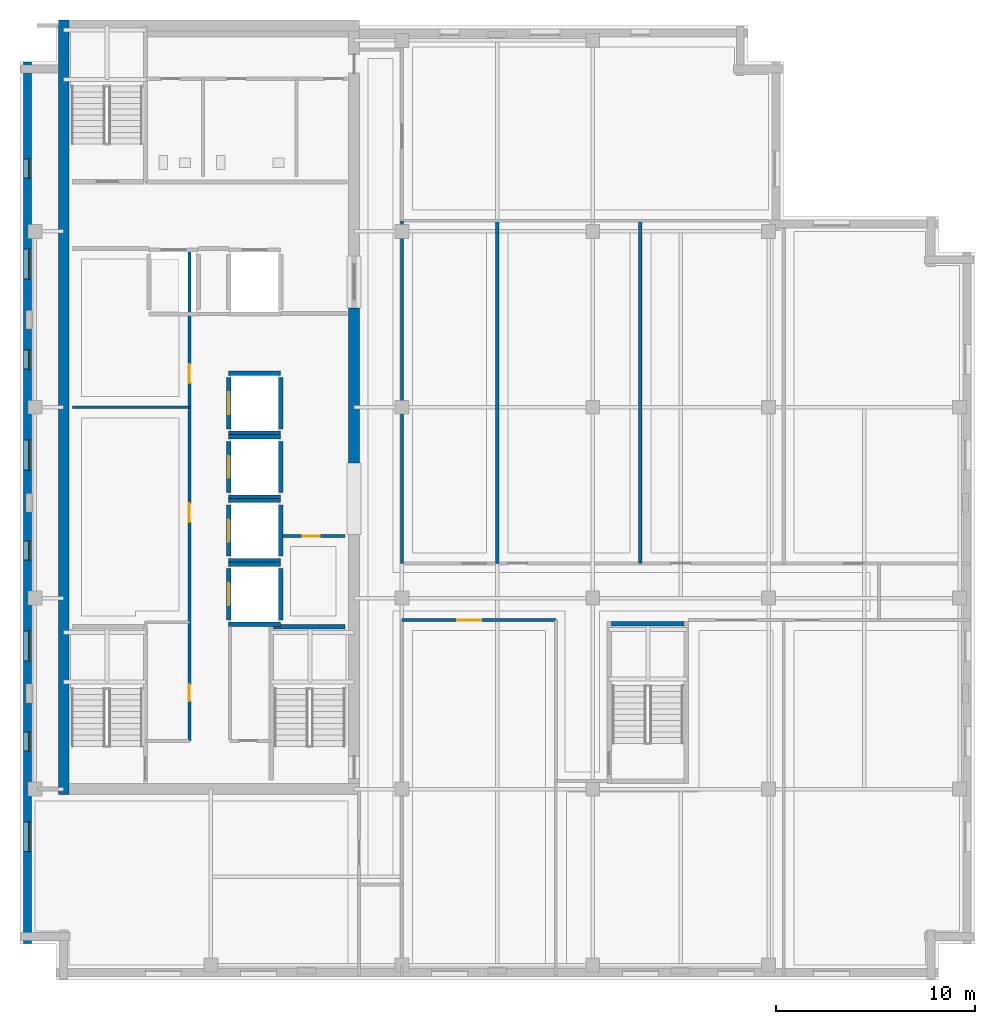
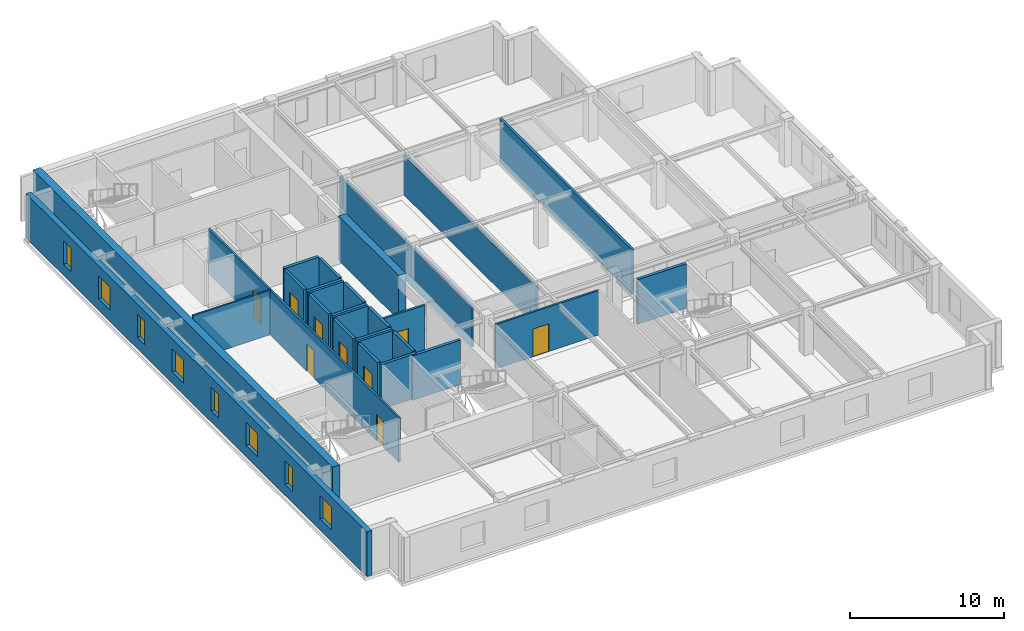
# One storey, part 4 of 11: 28 walls, 9 doors, 8 windows, 17 openings.
"""IFC4 building model written with IfcOpenShell, lengths in metres."""

from ifc_helpers import new_model, si_unit, direction, frame, frame_2d, origin, place, context, subcontext, project, spatial, rectangle, extrude, material, layer, layer_set, type_object, element, fill, save


model = new_model("IFC4")

# Units and contexts
model_context = context("Model", 3, precision=1e-05, world=origin(), true_north=direction((0.0, 1.0)))
body_context = subcontext(model_context, "Body", "Model", "MODEL_VIEW")
ifc_project = project(units=[si_unit("LENGTHUNIT", "METRE"), si_unit("AREAUNIT", "SQUARE_METRE"), si_unit("VOLUMEUNIT", "CUBIC_METRE"), si_unit("PLANEANGLEUNIT", "RADIAN"), si_unit("MASSUNIT", "GRAM", prefix="KILO")], contexts=[model_context])

# Site, building, storey
site_placement = place(None, origin())
site = spatial("IfcSite", under=ifc_project, at=site_placement, CompositionType="ELEMENT")
building_placement = place(site_placement, origin())
building = spatial("IfcBuilding", under=site, at=building_placement, Name="Norrvale University Quadrangle", CompositionType="ELEMENT")
storey_placement = place(building_placement, frame((0.0, 0.0, 284.800048828125)))
storey = spatial("IfcBuildingStorey", under=building, at=storey_placement, Name="L72", CompositionType="ELEMENT", Elevation=284.800048828125)

# Walls
ifc_material_1 = material(Name="Concrete C60/75", Category="concrete")
ifc_layer_1 = layer(ifc_material_1, 0.550048828125, Name="Concrete C60/75")
ifc_layer_set_1 = layer_set([ifc_layer_1], Name="Concrete C60/75")
wall_type_1 = type_object("IfcWallType", Name="Wall Core 550", PredefinedType="SHEAR", material=ifc_layer_set_1)
wall_1_placement = place(storey_placement, frame((2.199951171875, 9.324951171875, 0.0), z_axis=(0.0, 0.0, 1.0), x_axis=(0.0, 1.0, 0.0)))
element("IfcWall", 1, at=wall_1_placement, inside=storey, type_object=wall_type_1, Name="Tower Core Shear Wall L72-W", PredefinedType="SHEAR", context=body_context, shape_type="SweptSolid", body=[
    extrude(rectangle(XDim=38.949951171875, YDim=0.550048828125, at=frame_2d((19.47509765625, 0.0))), origin(), (0.0, 0.0, 1.0), 3.5400390625),
])
wall_2_placement = place(storey_placement, frame((16.800048828125, 26.0, 0.0), z_axis=(0.0, 0.0, 1.0), x_axis=(0.0, 1.0, 0.0)))
element("IfcWall", 2, at=wall_2_placement, inside=storey, type_object=wall_type_1, Name="Tower Core Shear Wall L72-E2", PredefinedType="SHEAR", context=body_context, shape_type="SweptSolid", body=[
    extrude(rectangle(XDim=7.800048828125, YDim=0.550048828125, at=frame_2d((3.89990234375, 0.0))), origin(), (0.0, 0.0, 1.0), 3.5400390625),
])
ifc_material_2 = material(Name="Standard Academic Gypsum Partition")
ifc_layer_2 = layer(ifc_material_2, 0.125, Name="Standard Academic Gypsum Partition")
ifc_layer_set_2 = layer_set([ifc_layer_2], Name="Standard Academic Gypsum Partition")
wall_type_2 = type_object("IfcWallType", Name="Wall Gypsum Academic 125", PredefinedType="PARTITIONING", material=ifc_layer_set_2)
wall_3_placement = place(storey_placement, frame((2.64990234375, 28.800048828125, 0.0), z_axis=(0.0, 0.0, 1.0), x_axis=(1.0, 0.0, 0.0)))
element("IfcWall", 3, at=wall_3_placement, inside=storey, type_object=wall_type_2, Name="Interior Partition WL-L72-REC-M2", PredefinedType="PARTITIONING", context=body_context, shape_type="SweptSolid", body=[
    extrude(rectangle(XDim=5.8701171875, YDim=0.125, at=frame_2d((2.93505859375, 0.0))), origin(), (0.0, 0.0, 1.0), 3.5400390625),
])

# Wall, opening, door
ifc_material_3 = material(Name="Fire-Rated Gypsum Stud Partition")
ifc_layer_3 = layer(ifc_material_3, 0.14990234375, Name="Fire-Rated Gypsum Stud Partition")
ifc_layer_set_3 = layer_set([ifc_layer_3], Name="Fire-Rated Gypsum Stud Partition")
wall_type_3 = type_object("IfcWallType", Name="Wall Gypsum Corridor 150", PredefinedType="PARTITIONING", material=ifc_layer_set_3)
wall_4_placement = place(storey_placement, frame((13.22509765625, 22.320068359375, 0.0), z_axis=(0.0, 0.0, 1.0), x_axis=(1.0, 0.0, 0.0)))
wall_4 = element("IfcWall", 4, at=wall_4_placement, inside=storey, type_object=wall_type_3, Name="Interior Partition WL-L72-JAN-N", PredefinedType="PARTITIONING", context=body_context, shape_type="SweptSolid", body=[
    extrude(rectangle(XDim=3.119873046875, YDim=0.14990234375, at=frame_2d((1.56005859375, 0.0))), origin(), (0.0, 0.0, 1.0), 3.5400390625),
])
opening_1_placement = place(wall_4_placement, frame((1.0, 0.0, 0.0)))
opening_1 = element("IfcOpeningElement", 5, at=opening_1_placement, cuts=wall_4, Name="Opening D10", PredefinedType="OPENING", context=body_context, shape_type="SweptSolid", body=[
    extrude(rectangle(XDim=0.85009765625, YDim=2.10009765625, at=frame_2d((0.425048828125, 1.050048828125))), frame((0.0, 0.0869140625, 0.0), z_axis=(0.0, -1.0, 0.0), x_axis=(1.0, 0.0, 0.0)), (0.0, 0.0, 1.0), 0.173828125),
])
ifc_material_4 = material(Name="Hollow Steel 350W Riser Fire Door", Category="steel")
door_type_1 = type_object("IfcDoorType", Name="Door Riser 850x2100", OperationType="NOTDEFINED", PredefinedType="DOOR", material=ifc_material_4)
door_1_placement = place(opening_1_placement, origin())
door_1 = element("IfcDoor", 6, at=door_1_placement, inside=storey, type_object=door_type_1, Name="Door Riser 850x2100 DR-L72-JAN", OperationType="SINGLE_SWING_LEFT", OverallHeight=2.10009765625, OverallWidth=0.85009765625, PredefinedType="DOOR", context=body_context, shape_type="SweptSolid", body=[
    extrude(rectangle(XDim=0.85009765625, YDim=2.10009765625, at=frame_2d((0.425048828125, 1.050048828125))), frame((0.0, 0.02490234375, 0.0), z_axis=(0.0, -1.0, 0.0), x_axis=(1.0, 0.0, 0.0)), (0.0, 0.0, 1.0), 0.050048828125),
])
fill(opening_1, door_1)

# Wall, openings, doors
wall_5_placement = place(storey_placement, frame((8.52001953125, 12.02001953125, 0.0), z_axis=(0.0, 0.0, 1.0), x_axis=(0.0, 1.0, 0.0)))
wall_5 = element("IfcWall", 7, at=wall_5_placement, inside=storey, type_object=wall_type_3, Name="Interior Partition WL-L72-REC-E", PredefinedType="PARTITIONING", context=body_context, shape_type="SweptSolid", body=[
    extrude(rectangle(XDim=24.760009765625, YDim=0.14990234375, at=frame_2d((12.3798828125, 0.0))), origin(), (0.0, 0.0, 1.0), 3.5400390625),
])
opening_2_placement = place(wall_5_placement, frame((2.0, 0.0, 0.0)))
opening_2 = element("IfcOpeningElement", 8, at=opening_2_placement, cuts=wall_5, Name="Opening D10", PredefinedType="OPENING", context=body_context, shape_type="SweptSolid", body=[
    extrude(rectangle(XDim=0.85009765625, YDim=2.10009765625, at=frame_2d((0.425048828125, 1.050048828125))), frame((0.0, 0.0869140625, 0.0), z_axis=(0.0, -1.0, 0.0), x_axis=(1.0, 0.0, 0.0)), (0.0, 0.0, 1.0), 0.173828125),
])
opening_3_placement = place(wall_5_placement, frame((11.0, 0.0, 0.0)))
opening_3 = element("IfcOpeningElement", 9, at=opening_3_placement, cuts=wall_5, Name="Opening D07", PredefinedType="OPENING", context=body_context, shape_type="SweptSolid", body=[
    extrude(rectangle(XDim=0.949951171875, YDim=2.14990234375, at=frame_2d((0.47509765625, 1.074951171875))), frame((0.0, 0.0869140625, 0.0), z_axis=(0.0, -1.0, 0.0), x_axis=(1.0, 0.0, 0.0)), (0.0, 0.0, 1.0), 0.173828125),
])
opening_4_placement = place(wall_5_placement, frame((18.0, 0.0, 0.0)))
opening_4 = element("IfcOpeningElement", 10, at=opening_4_placement, cuts=wall_5, Name="Opening D07", PredefinedType="OPENING", context=body_context, shape_type="SweptSolid", body=[
    extrude(rectangle(XDim=0.949951171875, YDim=2.14990234375, at=frame_2d((0.47509765625, 1.074951171875))), frame((0.0, 0.0869140625, 0.0), z_axis=(0.0, -1.0, 0.0), x_axis=(1.0, 0.0, 0.0)), (0.0, 0.0, 1.0), 0.173828125),
])
ifc_material_5 = material(Name="Solid-Core Maple Door", Category="wood")
door_type_2 = type_object("IfcDoorType", Name="Door Office 950x2150", OperationType="NOTDEFINED", PredefinedType="DOOR", material=ifc_material_5)
door_2_placement = place(opening_3_placement, origin())
door_2 = element("IfcDoor", 11, at=door_2_placement, inside=storey, type_object=door_type_2, Name="Door Office 950x2150 DR-L72-REC2", OperationType="SINGLE_SWING_RIGHT", OverallHeight=2.14990234375, OverallWidth=0.949951171875, PredefinedType="DOOR", context=body_context, shape_type="SweptSolid", body=[
    extrude(rectangle(XDim=0.949951171875, YDim=2.14990234375, at=frame_2d((0.47509765625, 1.074951171875))), frame((0.0, 0.02490234375, 0.0), z_axis=(0.0, -1.0, 0.0), x_axis=(1.0, 0.0, 0.0)), (0.0, 0.0, 1.0), 0.050048828125),
])
fill(opening_3, door_2)
door_3_placement = place(opening_4_placement, origin())
door_3 = element("IfcDoor", 12, at=door_3_placement, inside=storey, type_object=door_type_2, Name="Door Office 950x2150 DR-L72-REC3", OperationType="SINGLE_SWING_LEFT", OverallHeight=2.14990234375, OverallWidth=0.949951171875, PredefinedType="DOOR", context=body_context, shape_type="SweptSolid", body=[
    extrude(rectangle(XDim=0.949951171875, YDim=2.14990234375, at=frame_2d((0.47509765625, 1.074951171875))), frame((0.0, 0.02490234375, 0.0), z_axis=(0.0, -1.0, 0.0), x_axis=(1.0, 0.0, 0.0)), (0.0, 0.0, 1.0), 0.050048828125),
])
fill(opening_4, door_3)
door_4_placement = place(opening_2_placement, origin())
door_4 = element("IfcDoor", 13, at=door_4_placement, inside=storey, type_object=door_type_1, Name="Door Riser 850x2100 DR-L72-REC1", OperationType="SINGLE_SWING_LEFT", OverallHeight=2.10009765625, OverallWidth=0.85009765625, PredefinedType="DOOR", context=body_context, shape_type="SweptSolid", body=[
    extrude(rectangle(XDim=0.85009765625, YDim=2.10009765625, at=frame_2d((0.425048828125, 1.050048828125))), frame((0.0, 0.02490234375, 0.0), z_axis=(0.0, -1.0, 0.0), x_axis=(1.0, 0.0, 0.0)), (0.0, 0.0, 1.0), 0.050048828125),
])
fill(opening_2, door_4)

# Wall, opening, door
wall_6_placement = place(storey_placement, frame((19.199951171875, 18.10009765625, 0.0), z_axis=(0.0, 0.0, 1.0), x_axis=(1.0, 0.0, 0.0)))
wall_6 = element("IfcWall", 14, at=wall_6_placement, inside=storey, type_object=wall_type_3, Name="Interior Partition WL-L72-SEW1", PredefinedType="PARTITIONING", context=body_context, shape_type="SweptSolid", body=[
    extrude(rectangle(XDim=7.75, YDim=0.14990234375, at=frame_2d((3.875, 0.0))), origin(), (0.0, 0.0, 1.0), 3.5400390625),
])
opening_5_placement = place(wall_6_placement, frame((2.800048828125, 0.0, 0.0)))
opening_5 = element("IfcOpeningElement", 15, at=opening_5_placement, cuts=wall_6, Name="Opening D05", PredefinedType="OPENING", context=body_context, shape_type="SweptSolid", body=[
    extrude(rectangle(XDim=1.199951171875, YDim=2.199951171875, at=frame_2d((0.60009765625, 1.10009765625))), frame((0.0, 0.0869140625, 0.0), z_axis=(0.0, -1.0, 0.0), x_axis=(1.0, 0.0, 0.0)), (0.0, 0.0, 1.0), 0.173828125),
])
ifc_material_6 = material(Name="Acoustic Oak Classroom Door", Category="wood")
door_type_3 = type_object("IfcDoorType", Name="Door Classroom 1200x2200", OperationType="NOTDEFINED", PredefinedType="DOOR", material=ifc_material_6)
door_5_placement = place(opening_5_placement, origin())
door_5 = element("IfcDoor", 16, at=door_5_placement, inside=storey, type_object=door_type_3, Name="Door Classroom 1200x2200 DR-L72-SE1", OperationType="SINGLE_SWING_LEFT", OverallHeight=2.199951171875, OverallWidth=1.199951171875, PredefinedType="DOOR", context=body_context, shape_type="SweptSolid", body=[
    extrude(rectangle(XDim=1.199951171875, YDim=2.199951171875, at=frame_2d((0.60009765625, 1.10009765625))), frame((0.0, 0.02490234375, 0.0), z_axis=(0.0, -1.0, 0.0), x_axis=(1.0, 0.0, 0.0)), (0.0, 0.0, 1.0), 0.050048828125),
])
fill(opening_5, door_5)

# Walls
wall_7_placement = place(storey_placement, frame((19.199951171875, 20.949951171875, 0.0), z_axis=(0.0, 0.0, 1.0), x_axis=(0.0, 1.0, 0.0)))
element("IfcWall", 17, at=wall_7_placement, inside=storey, type_object=wall_type_3, Name="Interior Partition WL-L72-ME-W", PredefinedType="PARTITIONING", context=body_context, shape_type="SweptSolid", body=[
    extrude(rectangle(XDim=17.22998046875, YDim=0.14990234375, at=frame_2d((8.614990234375, 0.0))), origin(), (0.0, 0.0, 1.0), 3.123046875),
])
ifc_material_7 = material(Name="Acoustic Double-Stud Gypsum Partition")
ifc_layer_4 = layer(ifc_material_7, 0.179931640625, Name="Acoustic Double-Stud Gypsum Partition")
ifc_layer_set_4 = layer_set([ifc_layer_4], Name="Acoustic Double-Stud Gypsum Partition")
wall_type_4 = type_object("IfcWallType", Name="Wall Gypsum Lecture 180", PredefinedType="PARTITIONING", material=ifc_layer_set_4)
wall_8_placement = place(storey_placement, frame((24.0, 20.949951171875, 0.0), z_axis=(0.0, 0.0, 1.0), x_axis=(0.0, 1.0, 0.0)))
element("IfcWall", 18, at=wall_8_placement, inside=storey, type_object=wall_type_4, Name="Interior Partition WL-L72-MEP01", PredefinedType="PARTITIONING", context=body_context, shape_type="SweptSolid", body=[
    extrude(rectangle(XDim=17.22998046875, YDim=0.179931640625, at=frame_2d((8.614990234375, 0.0))), origin(), (0.0, 0.0, 1.0), 3.133056640625),
])
wall_9_placement = place(storey_placement, frame((31.199951171875, 20.949951171875, 0.0), z_axis=(0.0, 0.0, 1.0), x_axis=(0.0, 1.0, 0.0)))
element("IfcWall", 19, at=wall_9_placement, inside=storey, type_object=wall_type_4, Name="Interior Partition WL-L72-MEP02", PredefinedType="PARTITIONING", context=body_context, shape_type="SweptSolid", body=[
    extrude(rectangle(XDim=17.22998046875, YDim=0.179931640625, at=frame_2d((8.614990234375, 0.0))), origin(), (0.0, 0.0, 1.0), 3.5400390625),
])

# Wall, openings, windows
ifc_material_8 = material(Name="Red Manganese Brick Masonry", Category="masonry")
ifc_layer_5 = layer(ifc_material_8, 0.39990234375, Name="Red Manganese Brick Masonry")
ifc_layer_set_5 = layer_set([ifc_layer_5], Name="Red Manganese Brick Masonry")
wall_type_5 = type_object("IfcWallType", Name="Wall Red Brick 400", PredefinedType="SOLIDWALL", material=ifc_layer_set_5)
wall_10_placement = place(storey_placement, frame((0.3798828125, 46.159912109375, 0.0), z_axis=(0.0, 0.0, 1.0), x_axis=(0.0, -1.0, 0.0)))
wall_10 = element("IfcWall", 20, at=wall_10_placement, inside=storey, type_object=wall_type_5, Name="Exterior Brick Facade Wall L72-14.1", PredefinedType="SOLIDWALL", context=body_context, shape_type="SweptSolid", body=[
    extrude(rectangle(XDim=44.31982421875, YDim=0.39990234375, at=frame_2d((22.159912109375, 0.0))), origin(), (0.0, 0.0, 1.0), 3.5400390625),
])
opening_6_placement = place(wall_10_placement, frame((4.885009765625, 0.0, 0.89990234375)))
opening_6 = element("IfcOpeningElement", 21, at=opening_6_placement, cuts=wall_10, Name="Opening W04", PredefinedType="OPENING", context=body_context, shape_type="SweptSolid", body=[
    extrude(rectangle(XDim=0.949951171875, YDim=1.85009765625, at=frame_2d((0.47509765625, 0.925048828125))), frame((0.0, 0.2119140625, 0.0), z_axis=(0.0, -1.0, 0.0), x_axis=(1.0, 0.0, 0.0)), (0.0, 0.0, 1.0), 0.423828125),
])
opening_7_placement = place(wall_10_placement, frame((9.409912109375, 0.0, 0.89990234375)))
opening_7 = element("IfcOpeningElement", 22, at=opening_7_placement, cuts=wall_10, Name="Opening W03", PredefinedType="OPENING", context=body_context, shape_type="SweptSolid", body=[
    extrude(rectangle(XDim=1.5, YDim=1.85009765625, at=frame_2d((0.75, 0.925048828125))), frame((0.0, 0.2119140625, 0.0), z_axis=(0.0, -1.0, 0.0), x_axis=(1.0, 0.0, 0.0)), (0.0, 0.0, 1.0), 0.423828125),
])
opening_8_placement = place(wall_10_placement, frame((14.485107421875, 0.0, 0.89990234375)))
opening_8 = element("IfcOpeningElement", 23, at=opening_8_placement, cuts=wall_10, Name="Opening W04", PredefinedType="OPENING", context=body_context, shape_type="SweptSolid", body=[
    extrude(rectangle(XDim=0.949951171875, YDim=1.85009765625, at=frame_2d((0.47509765625, 0.925048828125))), frame((0.0, 0.2119140625, 0.0), z_axis=(0.0, -1.0, 0.0), x_axis=(1.0, 0.0, 0.0)), (0.0, 0.0, 1.0), 0.423828125),
])
opening_9_placement = place(wall_10_placement, frame((19.010009765625, 0.0, 0.89990234375)))
opening_9 = element("IfcOpeningElement", 24, at=opening_9_placement, cuts=wall_10, Name="Opening W03", PredefinedType="OPENING", context=body_context, shape_type="SweptSolid", body=[
    extrude(rectangle(XDim=1.5, YDim=1.85009765625, at=frame_2d((0.75, 0.925048828125))), frame((0.0, 0.2119140625, 0.0), z_axis=(0.0, -1.0, 0.0), x_axis=(1.0, 0.0, 0.0)), (0.0, 0.0, 1.0), 0.423828125),
])
opening_10_placement = place(wall_10_placement, frame((24.0849609375, 0.0, 0.89990234375)))
opening_10 = element("IfcOpeningElement", 25, at=opening_10_placement, cuts=wall_10, Name="Opening W04", PredefinedType="OPENING", context=body_context, shape_type="SweptSolid", body=[
    extrude(rectangle(XDim=0.949951171875, YDim=1.85009765625, at=frame_2d((0.47509765625, 0.925048828125))), frame((0.0, 0.2119140625, 0.0), z_axis=(0.0, -1.0, 0.0), x_axis=(1.0, 0.0, 0.0)), (0.0, 0.0, 1.0), 0.423828125),
])
opening_11_placement = place(wall_10_placement, frame((28.610107421875, 0.0, 0.89990234375)))
opening_11 = element("IfcOpeningElement", 26, at=opening_11_placement, cuts=wall_10, Name="Opening W03", PredefinedType="OPENING", context=body_context, shape_type="SweptSolid", body=[
    extrude(rectangle(XDim=1.5, YDim=1.85009765625, at=frame_2d((0.75, 0.925048828125))), frame((0.0, 0.2119140625, 0.0), z_axis=(0.0, -1.0, 0.0), x_axis=(1.0, 0.0, 0.0)), (0.0, 0.0, 1.0), 0.423828125),
])
opening_12_placement = place(wall_10_placement, frame((33.68505859375, 0.0, 0.89990234375)))
opening_12 = element("IfcOpeningElement", 27, at=opening_12_placement, cuts=wall_10, Name="Opening W04", PredefinedType="OPENING", context=body_context, shape_type="SweptSolid", body=[
    extrude(rectangle(XDim=0.949951171875, YDim=1.85009765625, at=frame_2d((0.47509765625, 0.925048828125))), frame((0.0, 0.2119140625, 0.0), z_axis=(0.0, -1.0, 0.0), x_axis=(1.0, 0.0, 0.0)), (0.0, 0.0, 1.0), 0.423828125),
])
opening_13_placement = place(wall_10_placement, frame((38.2099609375, 0.0, 0.89990234375)))
opening_13 = element("IfcOpeningElement", 28, at=opening_13_placement, cuts=wall_10, Name="Opening W03", PredefinedType="OPENING", context=body_context, shape_type="SweptSolid", body=[
    extrude(rectangle(XDim=1.5, YDim=1.85009765625, at=frame_2d((0.75, 0.925048828125))), frame((0.0, 0.2119140625, 0.0), z_axis=(0.0, -1.0, 0.0), x_axis=(1.0, 0.0, 0.0)), (0.0, 0.0, 1.0), 0.423828125),
])
ifc_material_9 = material(Name="Triple Low-E Argon Glazing", Category="glass")
window_type_1 = type_object("IfcWindowType", Name="Window Narrow Pier 950x2300", PartitioningType="SINGLE_PANEL", PredefinedType="WINDOW", material=ifc_material_9)
window_1_placement = place(opening_6_placement, origin())
window_1 = element("IfcWindow", 29, at=window_1_placement, inside=storey, type_object=window_type_1, Name="Window Narrow Pier 950x2300 WIN-L72-E14-1-01", OverallHeight=1.85009765625, OverallWidth=0.949951171875, PartitioningType="SINGLE_PANEL", PredefinedType="WINDOW", context=body_context, shape_type="SweptSolid", body=[
    extrude(rectangle(XDim=0.949951171875, YDim=1.85009765625, at=frame_2d((0.47509765625, 0.925048828125))), frame((0.0, 0.110107421875, 0.0), z_axis=(0.0, -1.0, 0.0), x_axis=(1.0, 0.0, 0.0)), (0.0, 0.0, 1.0), 0.06005859375),
])
fill(opening_6, window_1)
window_2_placement = place(opening_8_placement, origin())
window_2 = element("IfcWindow", 30, at=window_2_placement, inside=storey, type_object=window_type_1, Name="Window Narrow Pier 950x2300 WIN-L72-E14-1-03", OverallHeight=1.85009765625, OverallWidth=0.949951171875, PartitioningType="SINGLE_PANEL", PredefinedType="WINDOW", context=body_context, shape_type="SweptSolid", body=[
    extrude(rectangle(XDim=0.949951171875, YDim=1.85009765625, at=frame_2d((0.47509765625, 0.925048828125))), frame((0.0, 0.110107421875, 0.0), z_axis=(0.0, -1.0, 0.0), x_axis=(1.0, 0.0, 0.0)), (0.0, 0.0, 1.0), 0.06005859375),
])
fill(opening_8, window_2)
window_3_placement = place(opening_10_placement, origin())
window_3 = element("IfcWindow", 31, at=window_3_placement, inside=storey, type_object=window_type_1, Name="Window Narrow Pier 950x2300 WIN-L72-E14-1-05", OverallHeight=1.85009765625, OverallWidth=0.949951171875, PartitioningType="SINGLE_PANEL", PredefinedType="WINDOW", context=body_context, shape_type="SweptSolid", body=[
    extrude(rectangle(XDim=0.949951171875, YDim=1.85009765625, at=frame_2d((0.47509765625, 0.925048828125))), frame((0.0, 0.110107421875, 0.0), z_axis=(0.0, -1.0, 0.0), x_axis=(1.0, 0.0, 0.0)), (0.0, 0.0, 1.0), 0.06005859375),
])
fill(opening_10, window_3)
window_4_placement = place(opening_12_placement, origin())
window_4 = element("IfcWindow", 32, at=window_4_placement, inside=storey, type_object=window_type_1, Name="Window Narrow Pier 950x2300 WIN-L72-E14-1-07", OverallHeight=1.85009765625, OverallWidth=0.949951171875, PartitioningType="SINGLE_PANEL", PredefinedType="WINDOW", context=body_context, shape_type="SweptSolid", body=[
    extrude(rectangle(XDim=0.949951171875, YDim=1.85009765625, at=frame_2d((0.47509765625, 0.925048828125))), frame((0.0, 0.110107421875, 0.0), z_axis=(0.0, -1.0, 0.0), x_axis=(1.0, 0.0, 0.0)), (0.0, 0.0, 1.0), 0.06005859375),
])
fill(opening_12, window_4)
window_type_2 = type_object("IfcWindowType", Name="Window Studio 1500x2300", PartitioningType="DOUBLE_PANEL_VERTICAL", PredefinedType="WINDOW", material=ifc_material_9)
window_5_placement = place(opening_7_placement, origin())
window_5 = element("IfcWindow", 33, at=window_5_placement, inside=storey, type_object=window_type_2, Name="Window Studio 1500x2300 WIN-L72-E14-1-02", OverallHeight=1.85009765625, OverallWidth=1.5, PartitioningType="DOUBLE_PANEL_VERTICAL", PredefinedType="WINDOW", context=body_context, shape_type="SweptSolid", body=[
    extrude(rectangle(XDim=1.5, YDim=1.85009765625, at=frame_2d((0.75, 0.925048828125))), frame((0.0, 0.110107421875, 0.0), z_axis=(0.0, -1.0, 0.0), x_axis=(1.0, 0.0, 0.0)), (0.0, 0.0, 1.0), 0.06005859375),
])
fill(opening_7, window_5)
window_6_placement = place(opening_9_placement, origin())
window_6 = element("IfcWindow", 34, at=window_6_placement, inside=storey, type_object=window_type_2, Name="Window Studio 1500x2300 WIN-L72-E14-1-04", OverallHeight=1.85009765625, OverallWidth=1.5, PartitioningType="DOUBLE_PANEL_VERTICAL", PredefinedType="WINDOW", context=body_context, shape_type="SweptSolid", body=[
    extrude(rectangle(XDim=1.5, YDim=1.85009765625, at=frame_2d((0.75, 0.925048828125))), frame((0.0, 0.110107421875, 0.0), z_axis=(0.0, -1.0, 0.0), x_axis=(1.0, 0.0, 0.0)), (0.0, 0.0, 1.0), 0.06005859375),
])
fill(opening_9, window_6)
window_7_placement = place(opening_11_placement, origin())
window_7 = element("IfcWindow", 35, at=window_7_placement, inside=storey, type_object=window_type_2, Name="Window Studio 1500x2300 WIN-L72-E14-1-06", OverallHeight=1.85009765625, OverallWidth=1.5, PartitioningType="DOUBLE_PANEL_VERTICAL", PredefinedType="WINDOW", context=body_context, shape_type="SweptSolid", body=[
    extrude(rectangle(XDim=1.5, YDim=1.85009765625, at=frame_2d((0.75, 0.925048828125))), frame((0.0, 0.110107421875, 0.0), z_axis=(0.0, -1.0, 0.0), x_axis=(1.0, 0.0, 0.0)), (0.0, 0.0, 1.0), 0.06005859375),
])
fill(opening_11, window_7)
window_8_placement = place(opening_13_placement, origin())
window_8 = element("IfcWindow", 36, at=window_8_placement, inside=storey, type_object=window_type_2, Name="Window Studio 1500x2300 WIN-L72-E14-1-08", OverallHeight=1.85009765625, OverallWidth=1.5, PartitioningType="DOUBLE_PANEL_VERTICAL", PredefinedType="WINDOW", context=body_context, shape_type="SweptSolid", body=[
    extrude(rectangle(XDim=1.5, YDim=1.85009765625, at=frame_2d((0.75, 0.925048828125))), frame((0.0, 0.110107421875, 0.0), z_axis=(0.0, -1.0, 0.0), x_axis=(1.0, 0.0, 0.0)), (0.0, 0.0, 1.0), 0.06005859375),
])
fill(opening_13, window_8)

# Walls
ifc_material_10 = material(Name="Concrete Blockwork 20 MPa Fire Shaft", Category="masonry")
ifc_layer_6 = layer(ifc_material_10, 0.219970703125, Name="Concrete Blockwork 20 MPa Fire Shaft")
ifc_layer_set_6 = layer_set([ifc_layer_6], Name="Concrete Blockwork 20 MPa Fire Shaft")
wall_type_6 = type_object("IfcWallType", Name="Wall Shaft 220", PredefinedType="SOLIDWALL", material=ifc_layer_set_6)
wall_11_placement = place(storey_placement, frame((12.75, 17.760009765625, 0.0), z_axis=(0.0, 0.0, 1.0), x_axis=(1.0, 0.0, 0.0)))
element("IfcWall", 37, at=wall_11_placement, inside=storey, type_object=wall_type_6, Name="Stair ST-03 North Shaft Wall L72", PredefinedType="SOLIDWALL", context=body_context, shape_type="SweptSolid", body=[
    extrude(rectangle(XDim=3.60009765625, YDim=0.219970703125, at=frame_2d((1.800048828125, 0.0))), origin(), (0.0, 0.0, 1.0), 3.5400390625),
])
wall_12_placement = place(storey_placement, frame((29.75, 17.909912109375, 0.0), z_axis=(0.0, 0.0, 1.0), x_axis=(1.0, 0.0, 0.0)))
element("IfcWall", 38, at=wall_12_placement, inside=storey, type_object=wall_type_6, Name="Stair ST-04 North Shaft Wall L72", PredefinedType="SOLIDWALL", context=body_context, shape_type="SweptSolid", body=[
    extrude(rectangle(XDim=3.64990234375, YDim=0.219970703125, at=frame_2d((1.824951171875, 0.0))), origin(), (0.0, 0.0, 1.0), 3.5400390625),
])

# Wall, opening, door
wall_13_placement = place(storey_placement, frame((10.489990234375, 18.110107421875, 0.0), z_axis=(0.0, 0.0, 1.0), x_axis=(0.0, 1.0, 0.0)))
wall_13 = element("IfcWall", 39, at=wall_13_placement, inside=storey, type_object=wall_type_6, Name="Hoistway PL-05 West Wall L72", PredefinedType="SOLIDWALL", context=body_context, shape_type="SweptSolid", body=[
    extrude(rectangle(XDim=2.579833984375, YDim=0.219970703125, at=frame_2d((1.2900390625, 0.0))), origin(), (0.0, 0.0, 1.0), 3.5400390625),
])
opening_14_placement = place(wall_13_placement, frame((0.739990234375, 0.0, 0.0)))
opening_14 = element("IfcOpeningElement", 40, at=opening_14_placement, cuts=wall_13, Name="Opening LD1", PredefinedType="OPENING", context=body_context, shape_type="SweptSolid", body=[
    extrude(rectangle(XDim=1.10009765625, YDim=2.199951171875, at=frame_2d((0.550048828125, 1.10009765625))), frame((0.0, 0.1220703125, 0.0), z_axis=(0.0, -1.0, 0.0), x_axis=(1.0, 0.0, 0.0)), (0.0, 0.0, 1.0), 0.243896484375),
])
ifc_material_11 = material(Name="Stainless Steel 316L Lift Landing Door", Category="steel")
door_type_4 = type_object("IfcDoorType", Name="Door Lift Landing 1100x2200", OperationType="DOUBLE_DOOR_SLIDING", PredefinedType="DOOR", material=ifc_material_11)
door_6_placement = place(opening_14_placement, origin())
door_6 = element("IfcDoor", 41, at=door_6_placement, inside=storey, type_object=door_type_4, Name="Elevator Landing Door DR-L72-PL-05", OperationType="DOUBLE_DOOR_SLIDING", OverallHeight=2.199951171875, OverallWidth=1.10009765625, PredefinedType="DOOR", context=body_context, shape_type="SweptSolid", body=[
    extrude(rectangle(XDim=1.10009765625, YDim=2.199951171875, at=frame_2d((0.550048828125, 1.10009765625))), frame((0.0, 0.02490234375, 0.0), z_axis=(0.0, -1.0, 0.0), x_axis=(1.0, 0.0, 0.0)), (0.0, 0.0, 1.0), 0.050048828125),
])
fill(opening_14, door_6)

# Walls
wall_14_placement = place(storey_placement, frame((13.110107421875, 18.110107421875, 0.0), z_axis=(0.0, 0.0, 1.0), x_axis=(0.0, 1.0, 0.0)))
element("IfcWall", 42, at=wall_14_placement, inside=storey, type_object=wall_type_6, Name="Hoistway PL-05 East Wall L72", PredefinedType="SOLIDWALL", context=body_context, shape_type="SweptSolid", body=[
    extrude(rectangle(XDim=2.579833984375, YDim=0.219970703125, at=frame_2d((1.2900390625, 0.0))), origin(), (0.0, 0.0, 1.0), 3.5400390625),
])
for number, where, z_axis, x_axis, name in (
    (43, (10.489990234375, 17.889892578125, 0.0), (0.0, 0.0, 1.0), (1.0, 0.0, 0.0), "Hoistway PL-05 South Wall L72"),
    (44, (10.489990234375, 20.909912109375, 0.0), (0.0, 0.0, 1.0), (1.0, 0.0, 0.0), "Hoistway PL-05 North Wall L72"),
):
    element("IfcWall", number, at=place(storey_placement, frame(where, z_axis=z_axis, x_axis=x_axis)), inside=storey, type_object=wall_type_6, Name=name, PredefinedType="SOLIDWALL", context=body_context, shape_type="SweptSolid", body=[
        extrude(rectangle(XDim=2.6201171875, YDim=0.219970703125, at=frame_2d((1.31005859375, 0.0))), origin(), (0.0, 0.0, 1.0), 3.5400390625),
    ])

# Wall, opening, door
wall_15_placement = place(storey_placement, frame((10.489990234375, 21.31005859375, 0.0), z_axis=(0.0, 0.0, 1.0), x_axis=(0.0, 1.0, 0.0)))
wall_15 = element("IfcWall", 45, at=wall_15_placement, inside=storey, type_object=wall_type_6, Name="Hoistway PL-06 West Wall L72", PredefinedType="SOLIDWALL", context=body_context, shape_type="SweptSolid", body=[
    extrude(rectangle(XDim=2.579833984375, YDim=0.219970703125, at=frame_2d((1.2900390625, 0.0))), origin(), (0.0, 0.0, 1.0), 3.5400390625),
])
opening_15_placement = place(wall_15_placement, frame((0.739990234375, 0.0, 0.0)))
opening_15 = element("IfcOpeningElement", 46, at=opening_15_placement, cuts=wall_15, Name="Opening LD1", PredefinedType="OPENING", context=body_context, shape_type="SweptSolid", body=[
    extrude(rectangle(XDim=1.10009765625, YDim=2.199951171875, at=frame_2d((0.550048828125, 1.10009765625))), frame((0.0, 0.1220703125, 0.0), z_axis=(0.0, -1.0, 0.0), x_axis=(1.0, 0.0, 0.0)), (0.0, 0.0, 1.0), 0.243896484375),
])
door_7_placement = place(opening_15_placement, origin())
door_7 = element("IfcDoor", 47, at=door_7_placement, inside=storey, type_object=door_type_4, Name="Elevator Landing Door DR-L72-PL-06", OperationType="DOUBLE_DOOR_SLIDING", OverallHeight=2.199951171875, OverallWidth=1.10009765625, PredefinedType="DOOR", context=body_context, shape_type="SweptSolid", body=[
    extrude(rectangle(XDim=1.10009765625, YDim=2.199951171875, at=frame_2d((0.550048828125, 1.10009765625))), frame((0.0, 0.02490234375, 0.0), z_axis=(0.0, -1.0, 0.0), x_axis=(1.0, 0.0, 0.0)), (0.0, 0.0, 1.0), 0.050048828125),
])
fill(opening_15, door_7)

# Walls
wall_16_placement = place(storey_placement, frame((13.110107421875, 21.31005859375, 0.0), z_axis=(0.0, 0.0, 1.0), x_axis=(0.0, 1.0, 0.0)))
element("IfcWall", 48, at=wall_16_placement, inside=storey, type_object=wall_type_6, Name="Hoistway PL-06 East Wall L72", PredefinedType="SOLIDWALL", context=body_context, shape_type="SweptSolid", body=[
    extrude(rectangle(XDim=2.579833984375, YDim=0.219970703125, at=frame_2d((1.2900390625, 0.0))), origin(), (0.0, 0.0, 1.0), 3.5400390625),
])
for number, where, z_axis, x_axis, name in (
    (49, (10.489990234375, 21.090087890625, 0.0), (0.0, 0.0, 1.0), (1.0, 0.0, 0.0), "Hoistway PL-06 South Wall L72"),
    (50, (10.489990234375, 24.110107421875, 0.0), (0.0, 0.0, 1.0), (1.0, 0.0, 0.0), "Hoistway PL-06 North Wall L72"),
):
    element("IfcWall", number, at=place(storey_placement, frame(where, z_axis=z_axis, x_axis=x_axis)), inside=storey, type_object=wall_type_6, Name=name, PredefinedType="SOLIDWALL", context=body_context, shape_type="SweptSolid", body=[
        extrude(rectangle(XDim=2.6201171875, YDim=0.219970703125, at=frame_2d((1.31005859375, 0.0))), origin(), (0.0, 0.0, 1.0), 3.5400390625),
    ])

# Wall, opening, door
wall_17_placement = place(storey_placement, frame((10.489990234375, 24.510009765625, 0.0), z_axis=(0.0, 0.0, 1.0), x_axis=(0.0, 1.0, 0.0)))
wall_17 = element("IfcWall", 51, at=wall_17_placement, inside=storey, type_object=wall_type_6, Name="Hoistway PL-07 West Wall L72", PredefinedType="SOLIDWALL", context=body_context, shape_type="SweptSolid", body=[
    extrude(rectangle(XDim=2.580078125, YDim=0.219970703125, at=frame_2d((1.2900390625, 0.0))), origin(), (0.0, 0.0, 1.0), 3.5400390625),
])
opening_16_placement = place(wall_17_placement, frame((0.739990234375, 0.0, 0.0)))
opening_16 = element("IfcOpeningElement", 52, at=opening_16_placement, cuts=wall_17, Name="Opening LD1", PredefinedType="OPENING", context=body_context, shape_type="SweptSolid", body=[
    extrude(rectangle(XDim=1.10009765625, YDim=2.199951171875, at=frame_2d((0.550048828125, 1.10009765625))), frame((0.0, 0.1220703125, 0.0), z_axis=(0.0, -1.0, 0.0), x_axis=(1.0, 0.0, 0.0)), (0.0, 0.0, 1.0), 0.243896484375),
])
door_8_placement = place(opening_16_placement, origin())
door_8 = element("IfcDoor", 53, at=door_8_placement, inside=storey, type_object=door_type_4, Name="Elevator Landing Door DR-L72-PL-07", OperationType="DOUBLE_DOOR_SLIDING", OverallHeight=2.199951171875, OverallWidth=1.10009765625, PredefinedType="DOOR", context=body_context, shape_type="SweptSolid", body=[
    extrude(rectangle(XDim=1.10009765625, YDim=2.199951171875, at=frame_2d((0.550048828125, 1.10009765625))), frame((0.0, 0.02490234375, 0.0), z_axis=(0.0, -1.0, 0.0), x_axis=(1.0, 0.0, 0.0)), (0.0, 0.0, 1.0), 0.050048828125),
])
fill(opening_16, door_8)

# Walls
wall_18_placement = place(storey_placement, frame((13.110107421875, 24.510009765625, 0.0), z_axis=(0.0, 0.0, 1.0), x_axis=(0.0, 1.0, 0.0)))
element("IfcWall", 54, at=wall_18_placement, inside=storey, type_object=wall_type_6, Name="Hoistway PL-07 East Wall L72", PredefinedType="SOLIDWALL", context=body_context, shape_type="SweptSolid", body=[
    extrude(rectangle(XDim=2.580078125, YDim=0.219970703125, at=frame_2d((1.2900390625, 0.0))), origin(), (0.0, 0.0, 1.0), 3.5400390625),
])
for number, where, z_axis, x_axis, name in (
    (55, (10.489990234375, 24.2900390625, 0.0), (0.0, 0.0, 1.0), (1.0, 0.0, 0.0), "Hoistway PL-07 South Wall L72"),
    (56, (10.489990234375, 27.31005859375, 0.0), (0.0, 0.0, 1.0), (1.0, 0.0, 0.0), "Hoistway PL-07 North Wall L72"),
):
    element("IfcWall", number, at=place(storey_placement, frame(where, z_axis=z_axis, x_axis=x_axis)), inside=storey, type_object=wall_type_6, Name=name, PredefinedType="SOLIDWALL", context=body_context, shape_type="SweptSolid", body=[
        extrude(rectangle(XDim=2.6201171875, YDim=0.219970703125, at=frame_2d((1.31005859375, 0.0))), origin(), (0.0, 0.0, 1.0), 3.5400390625),
    ])

# Wall, opening, door
wall_19_placement = place(storey_placement, frame((10.489990234375, 27.7099609375, 0.0), z_axis=(0.0, 0.0, 1.0), x_axis=(0.0, 1.0, 0.0)))
wall_19 = element("IfcWall", 57, at=wall_19_placement, inside=storey, type_object=wall_type_6, Name="Hoistway PL-08 West Wall L72", PredefinedType="SOLIDWALL", context=body_context, shape_type="SweptSolid", body=[
    extrude(rectangle(XDim=2.580078125, YDim=0.219970703125, at=frame_2d((1.2900390625, 0.0))), origin(), (0.0, 0.0, 1.0), 3.5400390625),
])
opening_17_placement = place(wall_19_placement, frame((0.739990234375, 0.0, 0.0)))
opening_17 = element("IfcOpeningElement", 58, at=opening_17_placement, cuts=wall_19, Name="Opening LD1", PredefinedType="OPENING", context=body_context, shape_type="SweptSolid", body=[
    extrude(rectangle(XDim=1.10009765625, YDim=2.199951171875, at=frame_2d((0.550048828125, 1.10009765625))), frame((0.0, 0.1220703125, 0.0), z_axis=(0.0, -1.0, 0.0), x_axis=(1.0, 0.0, 0.0)), (0.0, 0.0, 1.0), 0.243896484375),
])
door_9_placement = place(opening_17_placement, origin())
door_9 = element("IfcDoor", 59, at=door_9_placement, inside=storey, type_object=door_type_4, Name="Elevator Landing Door DR-L72-PL-08", OperationType="DOUBLE_DOOR_SLIDING", OverallHeight=2.199951171875, OverallWidth=1.10009765625, PredefinedType="DOOR", context=body_context, shape_type="SweptSolid", body=[
    extrude(rectangle(XDim=1.10009765625, YDim=2.199951171875, at=frame_2d((0.550048828125, 1.10009765625))), frame((0.0, 0.02490234375, 0.0), z_axis=(0.0, -1.0, 0.0), x_axis=(1.0, 0.0, 0.0)), (0.0, 0.0, 1.0), 0.050048828125),
])
fill(opening_17, door_9)

# Walls
wall_20_placement = place(storey_placement, frame((13.110107421875, 27.7099609375, 0.0), z_axis=(0.0, 0.0, 1.0), x_axis=(0.0, 1.0, 0.0)))
element("IfcWall", 60, at=wall_20_placement, inside=storey, type_object=wall_type_6, Name="Hoistway PL-08 East Wall L72", PredefinedType="SOLIDWALL", context=body_context, shape_type="SweptSolid", body=[
    extrude(rectangle(XDim=2.580078125, YDim=0.219970703125, at=frame_2d((1.2900390625, 0.0))), origin(), (0.0, 0.0, 1.0), 3.5400390625),
])
for number, where, z_axis, x_axis, name in (
    (61, (10.489990234375, 27.489990234375, 0.0), (0.0, 0.0, 1.0), (1.0, 0.0, 0.0), "Hoistway PL-08 South Wall L72"),
    (62, (10.489990234375, 30.510009765625, 0.0), (0.0, 0.0, 1.0), (1.0, 0.0, 0.0), "Hoistway PL-08 North Wall L72"),
):
    element("IfcWall", number, at=place(storey_placement, frame(where, z_axis=z_axis, x_axis=x_axis)), inside=storey, type_object=wall_type_6, Name=name, PredefinedType="SOLIDWALL", context=body_context, shape_type="SweptSolid", body=[
        extrude(rectangle(XDim=2.6201171875, YDim=0.219970703125, at=frame_2d((1.31005859375, 0.0))), origin(), (0.0, 0.0, 1.0), 3.5400390625),
    ])

save(model, "model.ifc")
